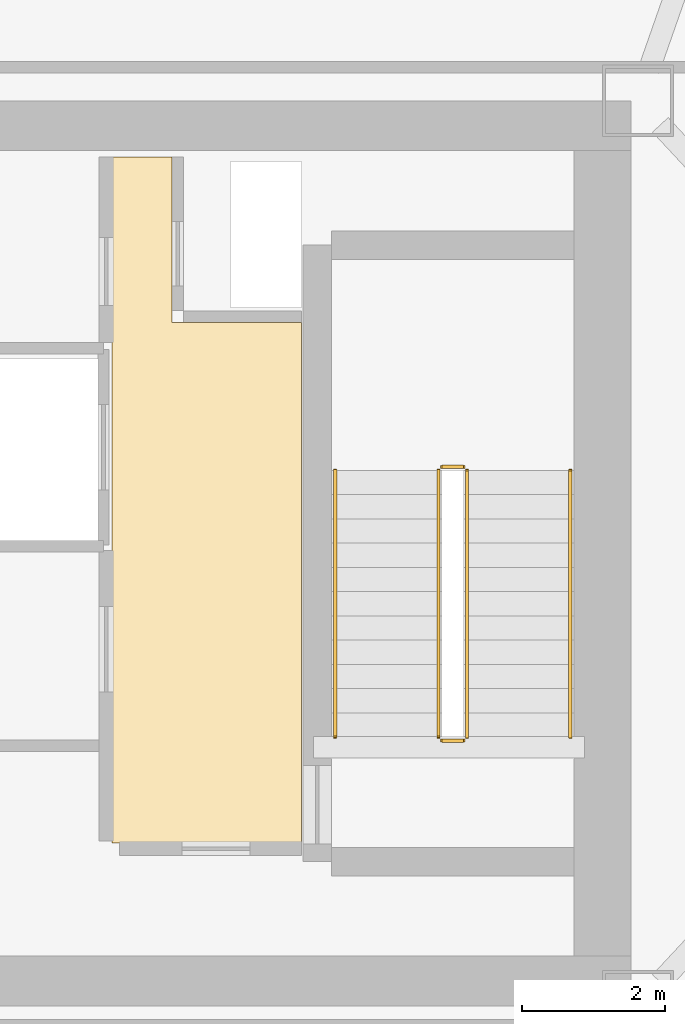
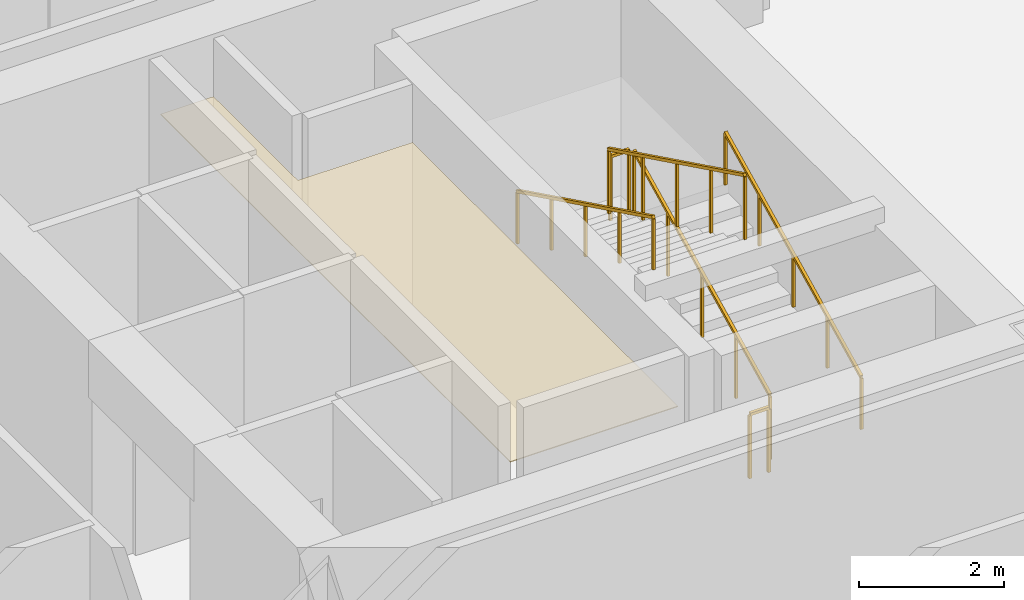
# One storey, part 18 of 18: 6 railings, 1 covering.
"""IFC4 building model written with IfcOpenShell, lengths in metres."""

import ifcopenshell
import ifcopenshell.guid

model = None  # the IFC model being written
_history = None  # IfcOwnerHistory: only IFC2X3 demands one
_inside = {}  # id of a spatial element -> (the spatial element, [elements in it])
_under = {}  # id of a project, library or spatial element -> (it, [spatial elements below it])
_declared = {}  # id of a project -> (the project, [libraries it declares])
_typed = {}  # id of a type object -> (the type object, [elements of that type])
_made_of = {}  # id of a material, layer set ... -> (it, [elements and type objects made of it])


def new_model(schema):
    """Start an empty IFC model of exactly this schema.

    Asked for "IFC4X3", IfcOpenShell would pick the latest addendum, in which some entities
    have other attributes; the version numbers below select the first issue.
    IFC2X3 requires an IfcOwnerHistory on every rooted entity: one is made here for all.
    """
    global model, _history
    if schema == "IFC4X3":
        model = ifcopenshell.file(schema_version=(4, 3, 0, 0))
    else:
        model = ifcopenshell.file(schema=schema)
    _inside.clear()
    _under.clear()
    _declared.clear()
    _typed.clear()
    _made_of.clear()
    _history = None
    if model.schema == "IFC2X3":
        org = make("IfcOrganization", Name="unknown")
        user = make(
            "IfcPersonAndOrganization",
            ThePerson=make("IfcPerson", FamilyName="unknown"),
            TheOrganization=org,
        )
        app = make(
            "IfcApplication",
            ApplicationDeveloper=org,
            Version="unknown",
            ApplicationFullName="unknown",
            ApplicationIdentifier="unknown",
        )
        _history = make(
            "IfcOwnerHistory",
            OwningUser=user,
            OwningApplication=app,
            ChangeAction="ADDED",
            CreationDate=0,
        )
    return model


def make(cls, **values):
    """One entity of the class cls with the attributes given. An attribute that is None is left unset."""
    return model.create_entity(
        cls, **{name: value for name, value in values.items() if value is not None}
    )


def rooted(cls, **values):
    """An entity with a GlobalId (a new one), such as an element, a storey or a relation."""
    return make(cls, GlobalId=ifcopenshell.guid.new(), OwnerHistory=_history, **values)


def si_unit(unit_type, name, prefix=None):
    """IfcSIUnit, for example si_unit("LENGTHUNIT", "METRE", prefix="MILLI")."""
    return make("IfcSIUnit", UnitType=unit_type, Prefix=prefix, Name=name)


def assignment(units):
    """IfcUnitAssignment: the units of a project."""
    return None if units is None else make("IfcUnitAssignment", Units=units)


def point(xyz):
    """IfcCartesianPoint."""
    return None if xyz is None else make("IfcCartesianPoint", Coordinates=xyz)


def direction(xyz):
    """IfcDirection."""
    return None if xyz is None else make("IfcDirection", DirectionRatios=xyz)


def frame(location, z_axis=None, x_axis=None):
    """IfcAxis2Placement3D, a coordinate frame: its origin and axes. An axis left out is left unset."""
    return make(
        "IfcAxis2Placement3D",
        Location=point(location),
        Axis=direction(z_axis),
        RefDirection=direction(x_axis),
    )


def frame_2d(location, x_axis=None):
    """IfcAxis2Placement2D, a coordinate frame in the plane: its origin and x axis."""
    return make(
        "IfcAxis2Placement2D", Location=point(location), RefDirection=direction(x_axis)
    )


def origin():
    """The frame at (0, 0, 0) with its axes left unset."""
    return frame((0.0, 0.0, 0.0))


def origin_2d():
    """The frame at (0, 0) in the plane with its x axis left unset."""
    return frame_2d((0.0, 0.0))


def place(relative_to, where):
    """IfcLocalPlacement: puts the frame where relative to a parent placement (None: the world)."""
    return make(
        "IfcLocalPlacement", PlacementRelTo=relative_to, RelativePlacement=where
    )


def context(
    kind, dimensions, precision=None, world=None, true_north=None, identifier=None
):
    """IfcGeometricRepresentationContext, for example the 3D "Model" context."""
    return make(
        "IfcGeometricRepresentationContext",
        ContextIdentifier=identifier,
        ContextType=kind,
        CoordinateSpaceDimension=dimensions,
        Precision=precision,
        WorldCoordinateSystem=world,
        TrueNorth=true_north,
    )


def subcontext(parent, identifier, kind, view, scale=None):
    """IfcGeometricRepresentationSubContext, for example "Body" below "Model"."""
    return make(
        "IfcGeometricRepresentationSubContext",
        ContextIdentifier=identifier,
        ContextType=kind,
        ParentContext=parent,
        TargetScale=scale,
        TargetView=view,
    )


def project(units=None, contexts=None):
    """IfcProject with its units and contexts."""
    return rooted(
        "IfcProject",
        Name="project",
        RepresentationContexts=contexts,
        UnitsInContext=assignment(units),
    )


def spatial(cls, under=None, at=None, **own):
    """A site, building, storey or space (cls), placed at a placement, below another one or the project."""
    s = rooted(cls, ObjectPlacement=at, **own)
    if under is not None:
        _under.setdefault(under.id(), (under, []))[1].append(s)
    return s


def polyline(points):
    """IfcPolyline through the points."""
    return make("IfcPolyline", Points=[point(p) for p in points])


def profile(cls, at=None, kind="AREA", **sizes):
    """A parametric profile (cls). Its sizes go by their IFC names, for example OverallWidth=200.0."""
    return make(cls, ProfileType=kind, Position=at, **sizes)


def rectangle(**sizes):
    """IfcRectangleProfileDef."""
    return profile("IfcRectangleProfileDef", **sizes)


def outline(outer, holes=None, kind="AREA"):
    """IfcArbitraryClosedProfileDef: a profile drawn as a closed curve; with holes, ...WithVoids."""
    if holes is None:
        return make("IfcArbitraryClosedProfileDef", ProfileType=kind, OuterCurve=outer)
    return make(
        "IfcArbitraryProfileDefWithVoids",
        ProfileType=kind,
        OuterCurve=outer,
        InnerCurves=holes,
    )


def extrude(swept, where, along, depth):
    """IfcExtrudedAreaSolid: the profile swept, set in the frame where, extruded along a direction by depth."""
    return make(
        "IfcExtrudedAreaSolid",
        SweptArea=swept,
        Position=where,
        ExtrudedDirection=direction(along),
        Depth=depth,
    )


def shape(context_of_items, identifier, shape_type, items):
    """IfcShapeRepresentation: the items that make up one representation, for example the "Body"."""
    return make(
        "IfcShapeRepresentation",
        ContextOfItems=context_of_items,
        RepresentationIdentifier=identifier,
        RepresentationType=shape_type,
        Items=items,
    )


def material(Name=None, Category=None):
    """IfcMaterial."""
    return make("IfcMaterial", Name=Name, Category=Category)


def layer(
    of_material, thickness, ventilated=None, Name=None, Category=None, Priority=None
):
    """IfcMaterialLayer: one layer of a wall or slab, of a material (None: an air gap)."""
    return make(
        "IfcMaterialLayer",
        Material=of_material,
        LayerThickness=thickness,
        IsVentilated=ventilated,
        Name=Name,
        Category=Category,
        Priority=Priority,
    )


def layer_set(layers, Name=None):
    """IfcMaterialLayerSet."""
    return make("IfcMaterialLayerSet", MaterialLayers=layers, LayerSetName=Name)


def made_of(thing, what):
    """Note that an element or type object is made of a material, layer set ...; save() writes the relation."""
    if what is not None:
        _made_of.setdefault(what.id(), (what, []))[1].append(thing)
    return thing


def type_object(cls, material=None, **own):
    """A type object (cls), such as IfcWallType, which elements share."""
    return made_of(rooted(cls, **own), material)


def element(
    cls,
    number,
    at=None,
    inside=None,
    cuts=None,
    type_object=None,
    material=None,
    context=None,
    identifier="Body",
    shape_type=None,
    held_by="IfcProductDefinitionShape",
    body=None,
    shapes=None,
    **own,
):
    """One element of the class cls, such as IfcWall. Its Tag is "e" and its number.

    at: its placement. inside: the storey or other place that contains it. cuts: it is an
    opening in that element (IfcRelVoidsElement). A single representation is given by context,
    identifier, shape_type and body (its items); several are given by shapes. held_by: the class
    of the entity that holds the representations. save() writes the other relations.
    """
    e = rooted(cls, Tag="e%d" % number, ObjectPlacement=at, **own)
    if body is not None:
        shapes = [shape(context, identifier, shape_type, body)]
    if shapes is not None:
        e.Representation = make(held_by, Representations=shapes)
    if inside is not None:
        _inside.setdefault(inside.id(), (inside, []))[1].append(e)
    if cuts is not None:
        rooted(
            "IfcRelVoidsElement", RelatingBuildingElement=cuts, RelatedOpeningElement=e
        )
    if type_object is not None:
        _typed.setdefault(type_object.id(), (type_object, []))[1].append(e)
    return made_of(e, material)


def aggregate(whole, parts):
    """IfcRelAggregates: a whole, such as a stair, and the parts it consists of."""
    return rooted("IfcRelAggregates", RelatingObject=whole, RelatedObjects=parts)


def save(model, path):
    """Write the relations noted so far, then the file.

    IfcRelAggregates (storeys below a building ...), IfcRelContainedInSpatialStructure (elements
    in a storey), IfcRelDefinesByType, IfcRelAssociatesMaterial and IfcRelDeclares: one each for
    every whole, place, type object, material and project.
    """
    for whole, parts in _under.values():
        aggregate(whole, parts)
    for where, things in _inside.values():
        rooted(
            "IfcRelContainedInSpatialStructure",
            RelatedElements=things,
            RelatingStructure=where,
        )
    for kind, things in _typed.values():
        rooted("IfcRelDefinesByType", RelatedObjects=things, RelatingType=kind)
    for what, things in _made_of.values():
        rooted("IfcRelAssociatesMaterial", RelatedObjects=things, RelatingMaterial=what)
    for by, libraries in _declared.values():
        rooted("IfcRelDeclares", RelatingContext=by, RelatedDefinitions=libraries)
    model.write(path)


model = new_model("IFC4")

# Units and contexts
model_context = context("Model", 3, precision=1e-05, world=origin(), true_north=direction((0.0, 1.0)))
body_context = subcontext(model_context, "Body", "Model", "MODEL_VIEW")
ifc_project = project(units=[si_unit("LENGTHUNIT", "METRE"), si_unit("AREAUNIT", "SQUARE_METRE"), si_unit("VOLUMEUNIT", "CUBIC_METRE"), si_unit("PLANEANGLEUNIT", "RADIAN"), si_unit("MASSUNIT", "GRAM", prefix="KILO")], contexts=[model_context])

# Site, building, storey
site_placement = place(None, origin())
site = spatial("IfcSite", under=ifc_project, at=site_placement, CompositionType="ELEMENT")
building_placement = place(site_placement, origin())
building = spatial("IfcBuilding", under=site, at=building_placement, Name="Tavrogorsk Clinical Tower", CompositionType="ELEMENT")
storey_placement = place(building_placement, frame((0.0, 0.0, 152.199951171875)))
storey = spatial("IfcBuildingStorey", under=building, at=storey_placement, Name="L34", CompositionType="ELEMENT", Elevation=152.199951171875)

# Covering
ifc_material_1 = material(Name="Antibacterial micro-perforated aluminium ceiling", Category="aluminium")
ifc_layer_1 = layer(ifc_material_1, 0.014892578125)
ifc_layer_set_1 = layer_set([ifc_layer_1], Name="Antibacterial micro-perforated aluminium ceiling")
covering_type = type_object("IfcCoveringType", Name="ClinicalCeiling_15", PredefinedType="CEILING", material=ifc_layer_set_1)
covering_placement = place(storey_placement, frame((0.0, 0.0, 2.75)))
element("IfcCovering", 1, at=covering_placement, inside=storey, type_object=covering_type, Name="Core East Firefighting Lift Lobby Acoustic Ceiling", PredefinedType="CEILING", context=body_context, shape_type="SweptSolid", body=[
    extrude(outline(polyline([(17.3798828125, -4.06005859375), (14.719970703125, -4.06005859375), (14.719970703125, 5.56005859375), (15.56005859375, 5.56005859375), (15.56005859375, 3.239990234375), (17.3798828125, 3.239990234375), (17.3798828125, -4.06005859375)])), origin(), (0.0, 0.0, 1.0), 0.01513671875),
])

# Railings
ifc_material_2 = material(Name="Galvanised steel S355 safety stairwell guard", Category="steel")
ifc_layer_2 = layer(ifc_material_2, 0.06005859375)
ifc_layer_set_2 = layer_set([ifc_layer_2], Name="Galvanised steel S355 safety stairwell guard")
railing_type_1 = type_object("IfcRailingType", Name="StairGuard_1150", PredefinedType="GUARDRAIL", material=ifc_layer_set_2)
railing_1_placement = place(storey_placement, frame((19.699951171875, -2.574951171875, 0.166748046875)))
element("IfcRailing", 2, at=railing_1_placement, inside=storey, type_object=railing_type_1, Name="L34 ST-E stair guard 1", PredefinedType="GUARDRAIL", context=body_context, shape_type="SweptSolid", body=[
    extrude(rectangle(XDim=0.048095703125, YDim=0.048095703125, at=origin_2d()), frame((0.0, 0.0, 1.076171875), z_axis=(0.0, 0.897927990467, 0.440142390523), x_axis=(-1.0, 0.0, 0.0)), (0.0, 0.0, 1.0), 4.1650390625),
    extrude(rectangle(XDim=0.0419921875, YDim=0.0419921875, at=origin_2d()), origin(), (0.0, 0.0, 1.0), 1.052001953125),
    extrude(rectangle(XDim=0.0419921875, YDim=0.0419921875, at=origin_2d()), frame((0.0, 0.93505859375, 0.458251953125)), (0.0, 0.0, 1.0), 1.052001953125),
    extrude(rectangle(XDim=0.0419921875, YDim=0.0419921875, at=origin_2d()), frame((0.0, 1.8701171875, 0.91650390625)), (0.0, 0.0, 1.0), 1.052001953125),
    extrude(rectangle(XDim=0.0419921875, YDim=0.0419921875, at=origin_2d()), frame((0.0, 2.804931640625, 1.375)), (0.0, 0.0, 1.0), 1.052001953125),
    extrude(rectangle(XDim=0.0419921875, YDim=0.0419921875, at=origin_2d()), frame((0.0, 3.739990234375, 1.833251953125)), (0.0, 0.0, 1.0), 1.052001953125),
])
railing_2_placement = place(storey_placement, frame((19.64990234375, 1.215087890625, 2.0)))
element("IfcRailing", 3, at=railing_2_placement, inside=storey, type_object=railing_type_1, Name="L34 ST-E stair guard 2", PredefinedType="GUARDRAIL", context=body_context, shape_type="SweptSolid", body=[
    extrude(rectangle(XDim=0.048095703125, YDim=0.048095703125, at=origin_2d()), frame((0.0, 0.0, 1.076171875), z_axis=(-1.0, 0.0, 0.0), x_axis=(0.0, -1.0, 0.0)), (0.0, 0.0, 1.0), 0.2998046875),
    extrude(rectangle(XDim=0.0419921875, YDim=0.0419921875, at=origin_2d()), origin(), (0.0, 0.0, 1.0), 1.052001953125),
    extrude(rectangle(XDim=0.0419921875, YDim=0.0419921875, at=origin_2d()), frame((-0.2998046875, 0.0, 0.0)), (0.0, 0.0, 1.0), 1.052001953125),
])
railing_3_placement = place(storey_placement, frame((19.300048828125, 1.1650390625, 2.166748046875)))
element("IfcRailing", 4, at=railing_3_placement, inside=storey, type_object=railing_type_1, Name="L34 ST-E stair guard 3", PredefinedType="GUARDRAIL", context=body_context, shape_type="SweptSolid", body=[
    extrude(rectangle(XDim=0.048095703125, YDim=0.048095703125, at=origin_2d()), frame((0.0, 0.0, 1.076171875), z_axis=(0.0, -0.897927990467, 0.440142390523), x_axis=(1.0, 0.0, 0.0)), (0.0, 0.0, 1.0), 4.1650390625),
    extrude(rectangle(XDim=0.0419921875, YDim=0.0419921875, at=origin_2d()), origin(), (0.0, 0.0, 1.0), 1.052001953125),
    extrude(rectangle(XDim=0.0419921875, YDim=0.0419921875, at=origin_2d()), frame((0.0, -0.93505859375, 0.458251953125)), (0.0, 0.0, 1.0), 1.052001953125),
    extrude(rectangle(XDim=0.0419921875, YDim=0.0419921875, at=origin_2d()), frame((0.0, -1.8701171875, 0.91650390625)), (0.0, 0.0, 1.0), 1.052001953125),
    extrude(rectangle(XDim=0.0419921875, YDim=0.0419921875, at=origin_2d()), frame((0.0, -2.804931640625, 1.375)), (0.0, 0.0, 1.0), 1.052001953125),
    extrude(rectangle(XDim=0.0419921875, YDim=0.0419921875, at=origin_2d()), frame((0.0, -3.739990234375, 1.833251953125)), (0.0, 0.0, 1.0), 1.052001953125),
])
railing_4_placement = place(storey_placement, frame((19.64990234375, -2.625, 0.0)))
element("IfcRailing", 5, at=railing_4_placement, inside=storey, type_object=railing_type_1, Name="L34 ST-E stair guard 4", PredefinedType="GUARDRAIL", context=body_context, shape_type="SweptSolid", body=[
    extrude(rectangle(XDim=0.048095703125, YDim=0.048095703125, at=origin_2d()), frame((0.0, 0.0, 1.076171875), z_axis=(-1.0, 0.0, 0.0), x_axis=(0.0, -1.0, 0.0)), (0.0, 0.0, 1.0), 0.2998046875),
    extrude(rectangle(XDim=0.0419921875, YDim=0.0419921875, at=origin_2d()), origin(), (0.0, 0.0, 1.0), 1.052001953125),
    extrude(rectangle(XDim=0.0419921875, YDim=0.0419921875, at=origin_2d()), frame((-0.2998046875, 0.0, 0.0)), (0.0, 0.0, 1.0), 1.052001953125),
])
ifc_material_3 = material(Name="Stainless steel AISI 304 tubular handrail", Category="steel")
ifc_layer_3 = layer(ifc_material_3, 0.050048828125)
ifc_layer_set_3 = layer_set([ifc_layer_3], Name="Stainless steel AISI 304 tubular handrail")
railing_type_2 = type_object("IfcRailingType", Name="StairHandrail_920", PredefinedType="HANDRAIL", material=ifc_layer_set_3)
railing_5_placement = place(storey_placement, frame((21.14990234375, -2.574951171875, 0.166748046875)))
element("IfcRailing", 6, at=railing_5_placement, inside=storey, type_object=railing_type_2, Name="L34 ST-E stair handrail 1", PredefinedType="HANDRAIL", context=body_context, shape_type="SweptSolid", body=[
    extrude(rectangle(XDim=0.048095703125, YDim=0.048095703125, at=origin_2d()), frame((0.0, 0.0, 0.8759765625), z_axis=(0.0, 0.897927990467, 0.440142390523), x_axis=(-1.0, 0.0, 0.0)), (0.0, 0.0, 1.0), 4.1650390625),
    extrude(rectangle(XDim=0.0419921875, YDim=0.0419921875, at=origin_2d()), origin(), (0.0, 0.0, 1.0), 0.851806640625),
    extrude(rectangle(XDim=0.0419921875, YDim=0.0419921875, at=origin_2d()), frame((0.0, 0.93505859375, 0.458251953125)), (0.0, 0.0, 1.0), 0.851806640625),
    extrude(rectangle(XDim=0.0419921875, YDim=0.0419921875, at=origin_2d()), frame((0.0, 1.8701171875, 0.91650390625)), (0.0, 0.0, 1.0), 0.851806640625),
    extrude(rectangle(XDim=0.0419921875, YDim=0.0419921875, at=origin_2d()), frame((0.0, 2.804931640625, 1.375)), (0.0, 0.0, 1.0), 0.851806640625),
    extrude(rectangle(XDim=0.0419921875, YDim=0.0419921875, at=origin_2d()), frame((0.0, 3.739990234375, 1.833251953125)), (0.0, 0.0, 1.0), 0.851806640625),
])
railing_6_placement = place(storey_placement, frame((17.85009765625, 1.1650390625, 2.166748046875)))
element("IfcRailing", 7, at=railing_6_placement, inside=storey, type_object=railing_type_2, Name="L34 ST-E stair handrail 2", PredefinedType="HANDRAIL", context=body_context, shape_type="SweptSolid", body=[
    extrude(rectangle(XDim=0.048095703125, YDim=0.048095703125, at=origin_2d()), frame((0.0, 0.0, 0.8759765625), z_axis=(0.0, -0.897927990467, 0.440142390523), x_axis=(1.0, 0.0, 0.0)), (0.0, 0.0, 1.0), 4.1650390625),
    extrude(rectangle(XDim=0.0419921875, YDim=0.0419921875, at=origin_2d()), origin(), (0.0, 0.0, 1.0), 0.851806640625),
    extrude(rectangle(XDim=0.0419921875, YDim=0.0419921875, at=origin_2d()), frame((0.0, -0.93505859375, 0.458251953125)), (0.0, 0.0, 1.0), 0.851806640625),
    extrude(rectangle(XDim=0.0419921875, YDim=0.0419921875, at=origin_2d()), frame((0.0, -1.8701171875, 0.91650390625)), (0.0, 0.0, 1.0), 0.851806640625),
    extrude(rectangle(XDim=0.0419921875, YDim=0.0419921875, at=origin_2d()), frame((0.0, -2.804931640625, 1.375)), (0.0, 0.0, 1.0), 0.851806640625),
    extrude(rectangle(XDim=0.0419921875, YDim=0.0419921875, at=origin_2d()), frame((0.0, -3.739990234375, 1.833251953125)), (0.0, 0.0, 1.0), 0.851806640625),
])

save(model, "model.ifc")
